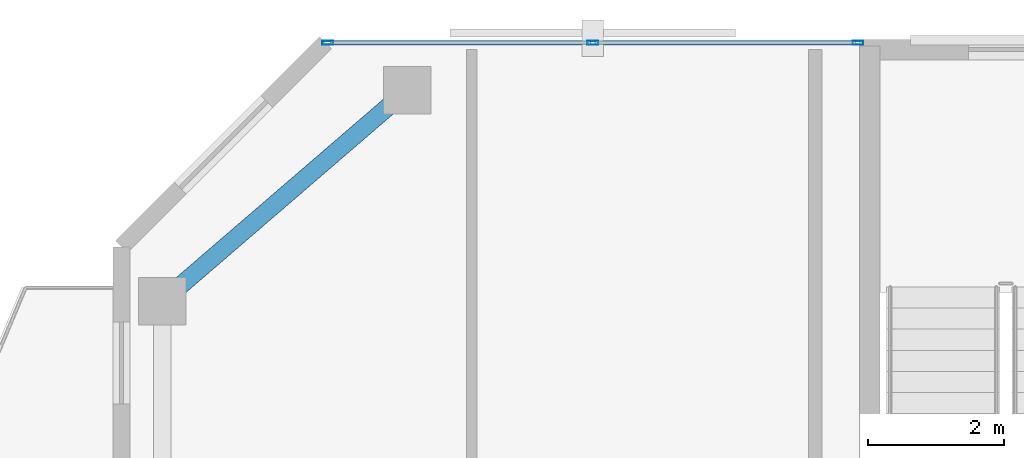
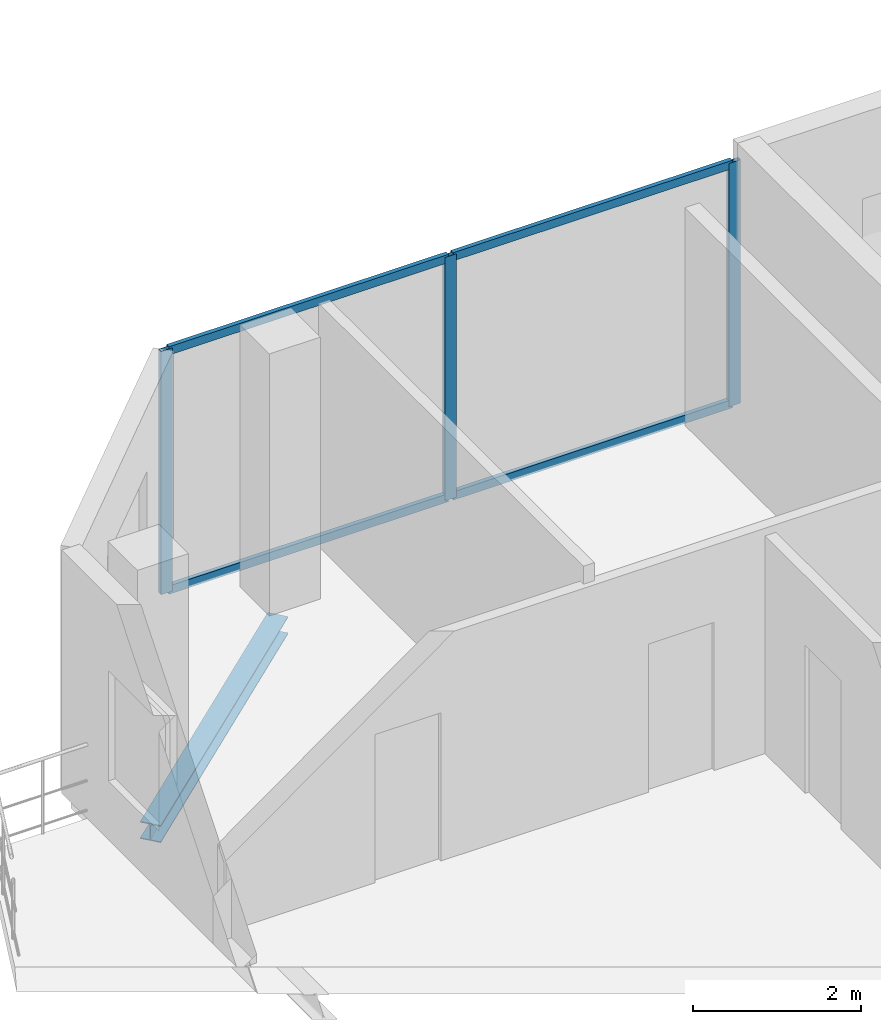
# One storey, part 16 of 23: 7 members, 1 beam, 1 element without a shape of its own.
"""IFC4 building model written with IfcOpenShell, lengths in metres."""

from ifc_helpers import new_model, si_unit, direction, frame, origin, origin_2d, place, context, subcontext, project, spatial, hollow_rectangle, i_section, extrude, material, layer, layer_set, material_profile, profile_set, type_object, element, aggregate, save


model = new_model("IFC4")

# Units and contexts
model_context = context("Model", 3, precision=1e-05, world=origin(), true_north=direction((0.0, 1.0)))
body_context = subcontext(model_context, "Body", "Model", "MODEL_VIEW")
ifc_project = project(units=[si_unit("LENGTHUNIT", "METRE"), si_unit("AREAUNIT", "SQUARE_METRE"), si_unit("VOLUMEUNIT", "CUBIC_METRE"), si_unit("PLANEANGLEUNIT", "RADIAN"), si_unit("MASSUNIT", "GRAM", prefix="KILO")], contexts=[model_context])

# Site, building, storey
site_placement = place(None, origin())
site = spatial("IfcSite", under=ifc_project, at=site_placement, CompositionType="ELEMENT")
building_placement = place(site_placement, origin())
building = spatial("IfcBuilding", under=site, at=building_placement, Name="Catumbela Crestline Tower", CompositionType="ELEMENT")
storey_placement = place(building_placement, frame((0.0, 0.0, 252.6)))
storey = spatial("IfcBuildingStorey", under=building, at=storey_placement, Name="L65", CompositionType="ELEMENT", Elevation=252.6)

# Curtain wall, members
ifc_material_1 = material(Name="Aluminium alloy AW-6060-T66", Category="aluminium")
ifc_layer = layer(ifc_material_1, 0.18, Name="Aluminium alloy AW-6060-T66")
ifc_layer_set = layer_set([ifc_layer], Name="Aluminium alloy AW-6060-T66")
curtain_wall_type = type_object("IfcCurtainWallType", Name="CWU-Z4", PredefinedType="USERDEFINED", material=ifc_layer_set)
curtain_wall_placement = place(storey_placement, origin())
curtain_wall = element("IfcCurtainWall", 1, at=curtain_wall_placement, inside=storey, type_object=curtain_wall_type, Name="L65 Unitised Curtain Wall CW-L65-E7S2", ObjectType="UNITISED", PredefinedType="USERDEFINED")
ifc_material_profile_1 = material_profile(ifc_material_1, hollow_rectangle(XDim=0.06, YDim=0.16, WallThickness=0.004, at=origin_2d()), Name="ALU 160x60x4")
ifc_profile_set_1 = profile_set([ifc_material_profile_1], Name="Aluminium alloy AW-6060-T66")
member_type_1 = type_object("IfcMemberType", Name="MUL-160X60", PredefinedType="MULLION", material=ifc_profile_set_1)
member_1_placement = place(storey_placement, frame((15.8275, 43.0, 0.0), z_axis=(0.0, 0.0, 1.0), x_axis=(0.0, -1.0, 0.0)))
member_1 = element("IfcMember", 2, at=member_1_placement, type_object=member_type_1, Name="CWU-Z4 mullion 1", PredefinedType="MULLION", context=body_context, shape_type="SweptSolid", body=[
    extrude(hollow_rectangle(XDim=0.06, YDim=0.16, WallThickness=0.004, at=origin_2d()), origin(), (0.0, 0.0, 1.0), 3.53),
])
member_2_placement = place(storey_placement, frame((11.93, 43.0, 0.0), z_axis=(0.0, 0.0, 1.0), x_axis=(0.0, -1.0, 0.0)))
member_2 = element("IfcMember", 3, at=member_2_placement, type_object=member_type_1, Name="CWU-Z4 mullion 2", PredefinedType="MULLION", context=body_context, shape_type="SweptSolid", body=[
    extrude(hollow_rectangle(XDim=0.06, YDim=0.16, WallThickness=0.004, at=origin_2d()), origin(), (0.0, 0.0, 1.0), 3.53),
])
member_3_placement = place(storey_placement, frame((8.0325, 43.0, 0.0), z_axis=(0.0, 0.0, 1.0), x_axis=(0.0, -1.0, 0.0)))
member_3 = element("IfcMember", 4, at=member_3_placement, type_object=member_type_1, Name="CWU-Z4 mullion 3", PredefinedType="MULLION", context=body_context, shape_type="SweptSolid", body=[
    extrude(hollow_rectangle(XDim=0.06, YDim=0.16, WallThickness=0.004, at=origin_2d()), origin(), (0.0, 0.0, 1.0), 3.53),
])

# Beam
ifc_material_2 = material(Name="Structural steel S355J2", Category="steel")
ifc_material_profile_2 = material_profile(ifc_material_2, i_section(OverallWidth=0.26, OverallDepth=0.25, WebThickness=0.0075, FlangeThickness=0.0125, FilletRadius=0.024, at=origin_2d()), Name="HEA 260")
ifc_profile_set_2 = profile_set([ifc_material_profile_2], Name="Structural steel S355J2")
beam_type = type_object("IfcBeamType", Name="BS-HEA260", PredefinedType="SPANDREL", material=ifc_profile_set_2)
beam_placement = place(storey_placement, frame((5.6606, 39.2522, -0.385), z_axis=(0.757772392559, 0.652518966066, 0.0), x_axis=(-0.652518966066, 0.757772392559, 0.0)))
element("IfcBeam", 5, at=beam_placement, inside=storey, type_object=beam_type, Name="L65 Spandrel SP-L65-N09", PredefinedType="SPANDREL", context=body_context, shape_type="SweptSolid", body=[
    extrude(i_section(OverallWidth=0.26, OverallDepth=0.25, WebThickness=0.0075, FlangeThickness=0.0125, FilletRadius=0.024, at=origin_2d()), origin(), (0.0, 0.0, 1.0), 4.5908),
])

# Member
ifc_material_profile_3 = material_profile(ifc_material_1, hollow_rectangle(XDim=0.06, YDim=0.12, WallThickness=0.0035, at=origin_2d()), Name="ALU 120x60x3.5")
ifc_profile_set_3 = profile_set([ifc_material_profile_3], Name="Aluminium alloy AW-6060-T66")
member_type_2 = type_object("IfcMemberType", Name="TRN-120X60", PredefinedType="USERDEFINED", material=ifc_profile_set_3)
member_4_placement = place(storey_placement, frame((15.795, 43.0, 0.03), z_axis=(-1.0, 0.0, 0.0), x_axis=(0.0, -1.0, 0.0)))
member_4 = element("IfcMember", 6, at=member_4_placement, type_object=member_type_2, Name="CWU-Z4 transom 1.1", ObjectType="TRANSOM", PredefinedType="USERDEFINED", context=body_context, shape_type="SweptSolid", body=[
    extrude(hollow_rectangle(XDim=0.06, YDim=0.12, WallThickness=0.0035, at=origin_2d()), origin(), (0.0, 0.0, 1.0), 3.8325),
])

member_5_placement = place(storey_placement, frame((15.795, 43.0, 3.5), z_axis=(-1.0, 0.0, 0.0), x_axis=(0.0, -1.0, 0.0)))
member_5 = element("IfcMember", 7, at=member_5_placement, type_object=member_type_2, Name="CWU-Z4 transom 1.2", ObjectType="TRANSOM", PredefinedType="USERDEFINED", context=body_context, shape_type="SweptSolid", body=[
    extrude(hollow_rectangle(XDim=0.06, YDim=0.12, WallThickness=0.0035, at=origin_2d()), origin(), (0.0, 0.0, 1.0), 3.8325),
])

member_6_placement = place(storey_placement, frame((11.8975, 43.0, 0.03), z_axis=(-1.0, 0.0, 0.0), x_axis=(0.0, -1.0, 0.0)))
member_6 = element("IfcMember", 8, at=member_6_placement, type_object=member_type_2, Name="CWU-Z4 transom 2.1", ObjectType="TRANSOM", PredefinedType="USERDEFINED", context=body_context, shape_type="SweptSolid", body=[
    extrude(hollow_rectangle(XDim=0.06, YDim=0.12, WallThickness=0.0035, at=origin_2d()), origin(), (0.0, 0.0, 1.0), 3.8325),
])

member_7_placement = place(storey_placement, frame((11.8975, 43.0, 3.5), z_axis=(-1.0, 0.0, 0.0), x_axis=(0.0, -1.0, 0.0)))
member_7 = element("IfcMember", 9, at=member_7_placement, type_object=member_type_2, Name="CWU-Z4 transom 2.2", ObjectType="TRANSOM", PredefinedType="USERDEFINED", context=body_context, shape_type="SweptSolid", body=[
    extrude(hollow_rectangle(XDim=0.06, YDim=0.12, WallThickness=0.0035, at=origin_2d()), origin(), (0.0, 0.0, 1.0), 3.8325),
])

aggregate(curtain_wall, [member_1, member_2, member_3, member_4, member_5, member_6, member_7])

save(model, "model.ifc")
